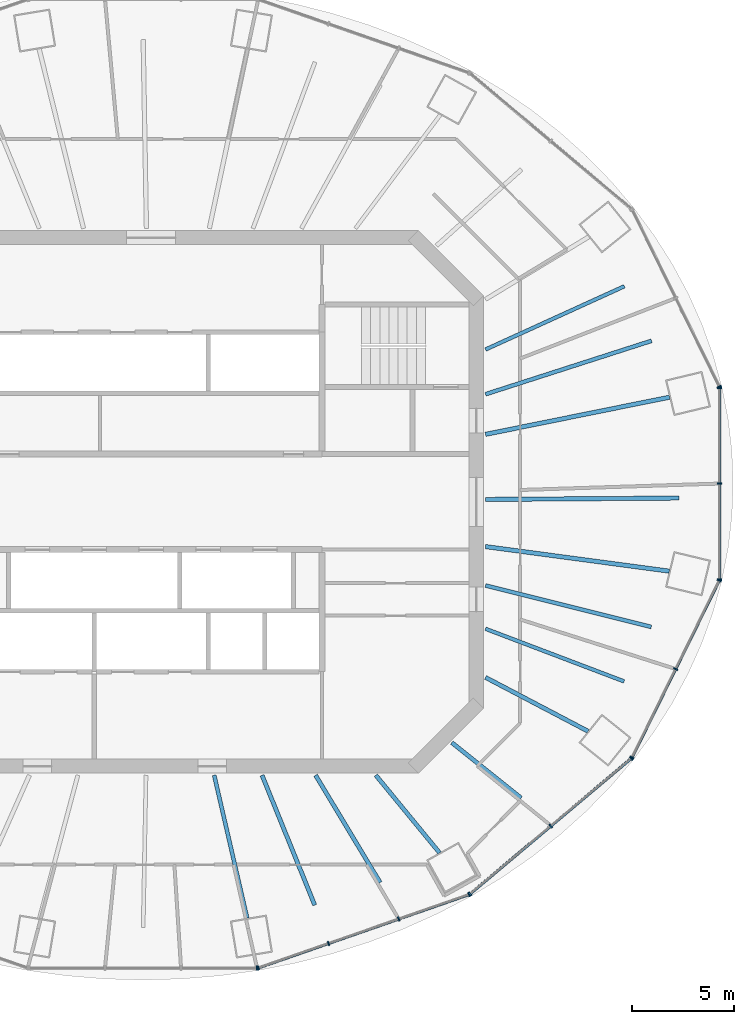
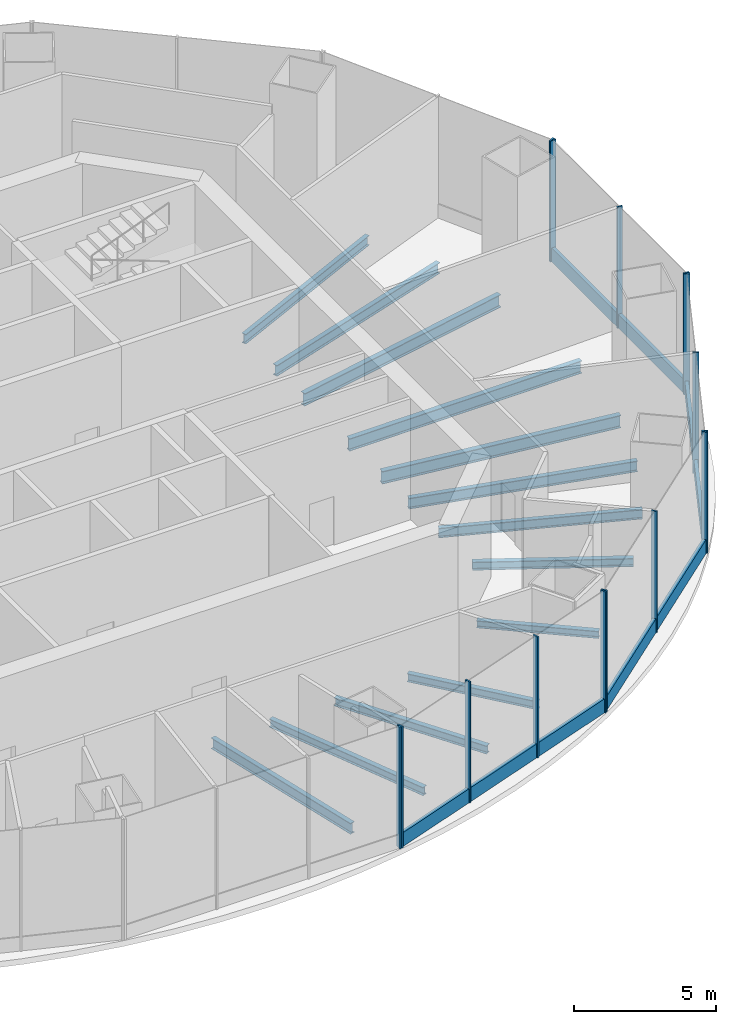
# One storey, part 4 of 12: 19 members, 13 beams, 6 elements without a shape of their own.
"""IFC4 building model written with IfcOpenShell, lengths in metres."""

from ifc_helpers import new_model, si_unit, direction, frame, origin, origin_2d, place, context, subcontext, project, spatial, rectangle, i_section, extrude, material, material_profile, profile_set, type_object, element, aggregate, save


model = new_model("IFC4")

# Units and contexts
model_context = context("Model", 3, precision=1e-05, world=origin(), true_north=direction((0.0, 1.0)))
body_context = subcontext(model_context, "Body", "Model", "MODEL_VIEW")
ifc_project = project(units=[si_unit("LENGTHUNIT", "METRE"), si_unit("AREAUNIT", "SQUARE_METRE"), si_unit("VOLUMEUNIT", "CUBIC_METRE"), si_unit("PLANEANGLEUNIT", "RADIAN"), si_unit("MASSUNIT", "GRAM", prefix="KILO")], contexts=[model_context])

# Site, building, storey
site_placement = place(None, origin())
site = spatial("IfcSite", under=ifc_project, at=site_placement, CompositionType="ELEMENT")
building_placement = place(site_placement, origin())
building = spatial("IfcBuilding", under=site, at=building_placement, Name="Marenthal Gate Tower", CompositionType="ELEMENT")
storey_placement = place(building_placement, frame((0.0, 0.0, 279.10009765625)))
storey = spatial("IfcBuildingStorey", under=building, at=storey_placement, Name="L62", CompositionType="ELEMENT", Elevation=279.10009765625)

# Curtain wall, member
ifc_material_1 = material(Name="Aluminium and glass", Category="aluminium")
curtain_wall_type = type_object("IfcCurtainWallType", Name="Curtain wall sky lobby", PredefinedType="NOTDEFINED", material=ifc_material_1)
curtain_wall_1_placement = place(storey_placement, origin())
curtain_wall_1 = element("IfcCurtainWall", 1, at=curtain_wall_1_placement, inside=storey, type_object=curtain_wall_type, Name="Curtain wall L62 bay 1", PredefinedType="NOTDEFINED")
ifc_material_2 = material(Name="Aluminium", Category="aluminium")
ifc_material_profile_1 = material_profile(ifc_material_2, rectangle(XDim=0.219970703125, YDim=0.070068359375, at=origin_2d()), Name="70x220 aluminium mullion")
ifc_profile_set_1 = profile_set([ifc_material_profile_1], Name="Aluminium")
member_type_1 = type_object("IfcMemberType", Name="Mullion 70x220 sky lobby", PredefinedType="MULLION", material=ifc_profile_set_1)
member_1_placement = place(storey_placement, frame((27.948974609375, 5.668212890625, 0.0), z_axis=(0.0, 0.0, 1.0), x_axis=(-0.89697015821, -0.442091093871, 0.0)))
member_1 = element("IfcMember", 2, at=member_1_placement, type_object=member_type_1, Name="Mullion L62 bay 1.1", PredefinedType="MULLION", context=body_context, shape_type="SweptSolid", body=[
    extrude(rectangle(XDim=0.219970703125, YDim=0.070068359375, at=origin_2d()), origin(), (0.0, 0.0, 1.0), 5.219970703125),
])
aggregate(curtain_wall_1, [member_1])

curtain_wall_2_placement = place(storey_placement, origin())
curtain_wall_2 = element("IfcCurtainWall", 3, at=curtain_wall_2_placement, inside=storey, type_object=curtain_wall_type, Name="Curtain wall L62 bay 12", PredefinedType="NOTDEFINED")
member_2_placement = place(storey_placement, frame((5.211669921875, -22.93603515625, 0.0), z_axis=(0.0, 0.0, 1.0), x_axis=(0.0, 1.0, 0.0)))
member_2 = element("IfcMember", 4, at=member_2_placement, type_object=member_type_1, Name="Mullion L62 bay 12.4", PredefinedType="MULLION", context=body_context, shape_type="SweptSolid", body=[
    extrude(rectangle(XDim=0.219970703125, YDim=0.070068359375, at=origin_2d()), origin(), (0.0, 0.0, 1.0), 5.219970703125),
])
aggregate(curtain_wall_2, [member_2])

# Curtain wall, members
curtain_wall_3_placement = place(storey_placement, origin())
curtain_wall_3 = element("IfcCurtainWall", 5, at=curtain_wall_3_placement, inside=storey, type_object=curtain_wall_type, Name="Curtain wall L62 bay 13", PredefinedType="NOTDEFINED")
member_3_placement = place(storey_placement, frame((5.27001953125, -22.926025390625, 0.0), z_axis=(0.0, 0.0, 1.0), x_axis=(-0.328756746245, 0.944414634469, 0.0)))
member_3 = element("IfcMember", 6, at=member_3_placement, type_object=member_type_1, Name="Mullion L62 bay 13.1", PredefinedType="MULLION", context=body_context, shape_type="SweptSolid", body=[
    extrude(rectangle(XDim=0.219970703125, YDim=0.070068359375, at=origin_2d()), origin(), (0.0, 0.0, 1.0), 5.219970703125),
])
member_4_placement = place(storey_placement, frame((8.725830078125, -21.72314453125, 0.0), z_axis=(0.0, 0.0, 1.0), x_axis=(-0.328756746245, 0.944414634469, 0.0)))
member_4 = element("IfcMember", 7, at=member_4_placement, type_object=member_type_1, Name="Mullion L62 bay 13.2", PredefinedType="MULLION", context=body_context, shape_type="SweptSolid", body=[
    extrude(rectangle(XDim=0.219970703125, YDim=0.070068359375, at=origin_2d()), origin(), (0.0, 0.0, 1.0), 5.219970703125),
])
member_5_placement = place(storey_placement, frame((12.181640625, -20.52001953125, 0.0), z_axis=(0.0, 0.0, 1.0), x_axis=(-0.328756746245, 0.944414634469, 0.0)))
member_5 = element("IfcMember", 8, at=member_5_placement, type_object=member_type_1, Name="Mullion L62 bay 13.3", PredefinedType="MULLION", context=body_context, shape_type="SweptSolid", body=[
    extrude(rectangle(XDim=0.219970703125, YDim=0.070068359375, at=origin_2d()), origin(), (0.0, 0.0, 1.0), 5.219970703125),
])
member_6_placement = place(storey_placement, frame((15.6376953125, -19.317138671875, 0.0), z_axis=(0.0, 0.0, 1.0), x_axis=(-0.328756746245, 0.944414634469, 0.0)))
member_6 = element("IfcMember", 9, at=member_6_placement, type_object=member_type_1, Name="Mullion L62 bay 13.4", PredefinedType="MULLION", context=body_context, shape_type="SweptSolid", body=[
    extrude(rectangle(XDim=0.219970703125, YDim=0.070068359375, at=origin_2d()), origin(), (0.0, 0.0, 1.0), 5.219970703125),
])

curtain_wall_4_placement = place(storey_placement, origin())
curtain_wall_4 = element("IfcCurtainWall", 10, at=curtain_wall_4_placement, inside=storey, type_object=curtain_wall_type, Name="Curtain wall L62 bay 14", PredefinedType="NOTDEFINED")
member_7_placement = place(storey_placement, frame((15.68896484375, -19.287841796875, 0.0), z_axis=(0.0, 0.0, 1.0), x_axis=(-0.643380191367, 0.76554681722, 0.0)))
member_7 = element("IfcMember", 11, at=member_7_placement, type_object=member_type_1, Name="Mullion L62 bay 14.1", PredefinedType="MULLION", context=body_context, shape_type="SweptSolid", body=[
    extrude(rectangle(XDim=0.219970703125, YDim=0.070068359375, at=origin_2d()), origin(), (0.0, 0.0, 1.0), 5.219970703125),
])
member_8_placement = place(storey_placement, frame((19.6552734375, -15.95458984375, 0.0), z_axis=(0.0, 0.0, 1.0), x_axis=(-0.643380191367, 0.76554681722, 0.0)))
member_8 = element("IfcMember", 12, at=member_8_placement, type_object=member_type_1, Name="Mullion L62 bay 14.2", PredefinedType="MULLION", context=body_context, shape_type="SweptSolid", body=[
    extrude(rectangle(XDim=0.219970703125, YDim=0.070068359375, at=origin_2d()), origin(), (0.0, 0.0, 1.0), 5.219970703125),
])
member_9_placement = place(storey_placement, frame((23.621337890625, -12.621337890625, 0.0), z_axis=(0.0, 0.0, 1.0), x_axis=(-0.643380191367, 0.76554681722, 0.0)))
member_9 = element("IfcMember", 13, at=member_9_placement, type_object=member_type_1, Name="Mullion L62 bay 14.3", PredefinedType="MULLION", context=body_context, shape_type="SweptSolid", body=[
    extrude(rectangle(XDim=0.219970703125, YDim=0.070068359375, at=origin_2d()), origin(), (0.0, 0.0, 1.0), 5.219970703125),
])

curtain_wall_5_placement = place(storey_placement, origin())
curtain_wall_5 = element("IfcCurtainWall", 14, at=curtain_wall_5_placement, inside=storey, type_object=curtain_wall_type, Name="Curtain wall L62 bay 15", PredefinedType="NOTDEFINED")
member_10_placement = place(storey_placement, frame((23.65771484375, -12.5751953125, 0.0), z_axis=(0.0, 0.0, 1.0), x_axis=(-0.89697015821, 0.442091093871, 0.0)))
member_10 = element("IfcMember", 15, at=member_10_placement, type_object=member_type_1, Name="Mullion L62 bay 15.1", PredefinedType="MULLION", context=body_context, shape_type="SweptSolid", body=[
    extrude(rectangle(XDim=0.219970703125, YDim=0.070068359375, at=origin_2d()), origin(), (0.0, 0.0, 1.0), 5.219970703125),
])
member_11_placement = place(storey_placement, frame((25.803466796875, -8.2216796875, 0.0), z_axis=(0.0, 0.0, 1.0), x_axis=(-0.89697015821, 0.442091093871, 0.0)))
member_11 = element("IfcMember", 16, at=member_11_placement, type_object=member_type_1, Name="Mullion L62 bay 15.2", PredefinedType="MULLION", context=body_context, shape_type="SweptSolid", body=[
    extrude(rectangle(XDim=0.219970703125, YDim=0.070068359375, at=origin_2d()), origin(), (0.0, 0.0, 1.0), 5.219970703125),
])
member_12_placement = place(storey_placement, frame((27.948974609375, -3.8681640625, 0.0), z_axis=(0.0, 0.0, 1.0), x_axis=(-0.89697015821, 0.442091093871, 0.0)))
member_12 = element("IfcMember", 17, at=member_12_placement, type_object=member_type_1, Name="Mullion L62 bay 15.3", PredefinedType="MULLION", context=body_context, shape_type="SweptSolid", body=[
    extrude(rectangle(XDim=0.219970703125, YDim=0.070068359375, at=origin_2d()), origin(), (0.0, 0.0, 1.0), 5.219970703125),
])

curtain_wall_6_placement = place(storey_placement, origin())
curtain_wall_6 = element("IfcCurtainWall", 18, at=curtain_wall_6_placement, inside=storey, type_object=curtain_wall_type, Name="Curtain wall L62 bay 16", PredefinedType="NOTDEFINED")
member_13_placement = place(storey_placement, frame((27.96240234375, -3.811279296875, 0.0), z_axis=(0.0, 0.0, 1.0), x_axis=(-1.0, 0.0, 0.0)))
member_13 = element("IfcMember", 19, at=member_13_placement, type_object=member_type_1, Name="Mullion L62 bay 16.1", PredefinedType="MULLION", context=body_context, shape_type="SweptSolid", body=[
    extrude(rectangle(XDim=0.219970703125, YDim=0.070068359375, at=origin_2d()), origin(), (0.0, 0.0, 1.0), 5.219970703125),
])
member_14_placement = place(storey_placement, frame((27.96240234375, 0.89990234375, 0.0), z_axis=(0.0, 0.0, 1.0), x_axis=(-1.0, 0.0, 0.0)))
member_14 = element("IfcMember", 20, at=member_14_placement, type_object=member_type_1, Name="Mullion L62 bay 16.2", PredefinedType="MULLION", context=body_context, shape_type="SweptSolid", body=[
    extrude(rectangle(XDim=0.219970703125, YDim=0.070068359375, at=origin_2d()), origin(), (0.0, 0.0, 1.0), 5.219970703125),
])
member_15_placement = place(storey_placement, frame((27.96240234375, 5.611328125, 0.0), z_axis=(0.0, 0.0, 1.0), x_axis=(-1.0, 0.0, 0.0)))
member_15 = element("IfcMember", 21, at=member_15_placement, type_object=member_type_1, Name="Mullion L62 bay 16.3", PredefinedType="MULLION", context=body_context, shape_type="SweptSolid", body=[
    extrude(rectangle(XDim=0.219970703125, YDim=0.070068359375, at=origin_2d()), origin(), (0.0, 0.0, 1.0), 5.219970703125),
])

# Member
ifc_material_3 = material(Name="Aluminium", Category="aluminium")
ifc_material_profile_2 = material_profile(ifc_material_3, rectangle(XDim=0.139892578125, YDim=0.60009765625, at=origin_2d()), Name="140x600 aluminium transom")
ifc_profile_set_2 = profile_set([ifc_material_profile_2], Name="Aluminium")
member_type_2 = type_object("IfcMemberType", Name="Transom 140x600 sky lobby", PredefinedType="USERDEFINED", material=ifc_profile_set_2)
member_16_placement = place(storey_placement, frame((5.302978515625, -22.91455078125, 0.2998046875), z_axis=(0.944417053534, 0.32874979695, 0.0), x_axis=(-0.32874979695, 0.944417053534, 0.0)))
member_16 = element("IfcMember", 22, at=member_16_placement, type_object=member_type_2, Name="Transom L62 bay 13", ObjectType="TRANSOM", PredefinedType="USERDEFINED", context=body_context, shape_type="SweptSolid", body=[
    extrude(rectangle(XDim=0.139892578125, YDim=0.60009765625, at=origin_2d()), origin(), (0.0, 0.0, 1.0), 10.90771484375),
])

aggregate(curtain_wall_3, [member_3, member_4, member_5, member_6, member_16])

member_17_placement = place(storey_placement, frame((15.7158203125, -19.265380859375, 0.2998046875), z_axis=(0.765546889855, 0.643380104941, 0.0), x_axis=(-0.643380104941, 0.765546889855, 0.0)))
member_17 = element("IfcMember", 23, at=member_17_placement, type_object=member_type_2, Name="Transom L62 bay 14", ObjectType="TRANSOM", PredefinedType="USERDEFINED", context=body_context, shape_type="SweptSolid", body=[
    extrude(rectangle(XDim=0.139892578125, YDim=0.60009765625, at=origin_2d()), origin(), (0.0, 0.0, 1.0), 10.291748046875),
])

aggregate(curtain_wall_4, [member_7, member_8, member_9, member_17])

member_18_placement = place(storey_placement, frame((23.673095703125, -12.543701171875, 0.2998046875), z_axis=(0.442099023513, 0.896966249872, 0.0), x_axis=(-0.896966249872, 0.442099023513, 0.0)))
member_18 = element("IfcMember", 24, at=member_18_placement, type_object=member_type_2, Name="Transom L62 bay 15", ObjectType="TRANSOM", PredefinedType="USERDEFINED", context=body_context, shape_type="SweptSolid", body=[
    extrude(rectangle(XDim=0.139892578125, YDim=0.60009765625, at=origin_2d()), origin(), (0.0, 0.0, 1.0), 9.636962890625),
])

aggregate(curtain_wall_5, [member_10, member_11, member_12, member_18])

member_19_placement = place(storey_placement, frame((27.96240234375, -3.7763671875, 0.2998046875), z_axis=(0.0, 1.0, 0.0), x_axis=(-1.0, 0.0, 0.0)))
member_19 = element("IfcMember", 25, at=member_19_placement, type_object=member_type_2, Name="Transom L62 bay 16", ObjectType="TRANSOM", PredefinedType="USERDEFINED", context=body_context, shape_type="SweptSolid", body=[
    extrude(rectangle(XDim=0.139892578125, YDim=0.60009765625, at=origin_2d()), origin(), (0.0, 0.0, 1.0), 9.352783203125),
])

aggregate(curtain_wall_6, [member_13, member_14, member_15, member_19])

# Beams
ifc_material_4 = material(Name="Steel S355", Category="steel")
ifc_material_profile_3 = material_profile(ifc_material_4, i_section(OverallWidth=0.205078125, OverallDepth=0.31005859375, WebThickness=0.009521484375, FlangeThickness=0.016357421875, FilletRadius=0.0126953125, at=origin_2d()), Name="W310X74")
ifc_profile_set_3 = profile_set([ifc_material_profile_3], Name="Steel S355")
beam_type_1 = type_object("IfcBeamType", Name="W310X74 beam", PredefinedType="BEAM", material=ifc_profile_set_3)
beam_1_placement = place(storey_placement, frame((18.200927734375, -14.57177734375, -0.405029296875), z_axis=(-0.780655976637, 0.624960995696, 0.0), x_axis=(-0.624960995696, -0.780655976637, 0.0)))
element("IfcBeam", 26, at=beam_1_placement, inside=storey, type_object=beam_type_1, Name="BM-L62-37", PredefinedType="BEAM", context=body_context, shape_type="SweptSolid", body=[
    extrude(i_section(OverallWidth=0.205078125, OverallDepth=0.31005859375, WebThickness=0.009521484375, FlangeThickness=0.016357421875, FilletRadius=0.0126953125, at=origin_2d()), origin(), (0.0, 0.0, 1.0), 4.365478515625),
])
ifc_material_5 = material(Name="Steel S355", Category="steel")
ifc_material_profile_4 = material_profile(ifc_material_5, i_section(OverallWidth=0.205078125, OverallDepth=0.35302734375, WebThickness=0.009521484375, FlangeThickness=0.016845703125, FilletRadius=0.014892578125, at=origin_2d()), Name="W360X79")
ifc_profile_set_4 = profile_set([ifc_material_profile_4], Name="Steel S355")
beam_type_2 = type_object("IfcBeamType", Name="W360X79 beam", PredefinedType="BEAM", material=ifc_profile_set_4)
beam_2_placement = place(storey_placement, frame((14.191162109375, -17.26708984375, -0.426513671875), z_axis=(-0.634915384057, 0.772581681822, 0.0), x_axis=(-0.772581681822, -0.634915384057, 0.0)))
element("IfcBeam", 27, at=beam_2_placement, inside=storey, type_object=beam_type_2, Name="BM-L62-14", PredefinedType="BEAM", context=body_context, shape_type="SweptSolid", body=[
    extrude(i_section(OverallWidth=0.205078125, OverallDepth=0.35302734375, WebThickness=0.009521484375, FlangeThickness=0.016845703125, FilletRadius=0.014892578125, at=origin_2d()), origin(), (0.0, 0.0, 1.0), 4.940673828125),
])
beam_3_placement = place(storey_placement, frame((21.49609375, -11.285888671875, -0.426513671875), z_axis=(-0.885401869601, 0.464826343173, 0.0), x_axis=(-0.464826343173, -0.885401869601, 0.0)))
element("IfcBeam", 28, at=beam_3_placement, inside=storey, type_object=beam_type_2, Name="BM-L62-15", PredefinedType="BEAM", context=body_context, shape_type="SweptSolid", body=[
    extrude(i_section(OverallWidth=0.205078125, OverallDepth=0.35302734375, WebThickness=0.009521484375, FlangeThickness=0.016845703125, FilletRadius=0.014892578125, at=origin_2d()), origin(), (0.0, 0.0, 1.0), 5.69921875),
])
beam_4_placement = place(storey_placement, frame((8.048828125, -19.837890625, -0.426513671875), z_axis=(-0.375965685219, 0.92663358645, 0.0), x_axis=(-0.92663358645, -0.375965685219, 0.0)))
element("IfcBeam", 29, at=beam_4_placement, inside=storey, type_object=beam_type_2, Name="BM-L62-35", PredefinedType="BEAM", context=body_context, shape_type="SweptSolid", body=[
    extrude(i_section(OverallWidth=0.205078125, OverallDepth=0.35302734375, WebThickness=0.009521484375, FlangeThickness=0.016845703125, FilletRadius=0.014892578125, at=origin_2d()), origin(), (0.0, 0.0, 1.0), 6.893798828125),
])
beam_5_placement = place(storey_placement, frame((11.26611328125, -18.730224609375, -0.426513671875), z_axis=(-0.515433540179, 0.856929556999, 0.0), x_axis=(-0.856929556999, -0.515433540179, 0.0)))
element("IfcBeam", 30, at=beam_5_placement, inside=storey, type_object=beam_type_2, Name="BM-L62-36", PredefinedType="BEAM", context=body_context, shape_type="SweptSolid", body=[
    extrude(i_section(OverallWidth=0.205078125, OverallDepth=0.35302734375, WebThickness=0.009521484375, FlangeThickness=0.016845703125, FilletRadius=0.014892578125, at=origin_2d()), origin(), (0.0, 0.0, 1.0), 6.161865234375),
])
ifc_material_6 = material(Name="Steel S355", Category="steel")
ifc_material_profile_5 = material_profile(ifc_material_6, i_section(OverallWidth=0.180908203125, OverallDepth=0.4169921875, WebThickness=0.010986328125, FlangeThickness=0.018310546875, FilletRadius=0.01025390625, at=origin_2d()), Name="W410X85")
ifc_profile_set_5 = profile_set([ifc_material_profile_5], Name="Steel S355")
beam_type_3 = type_object("IfcBeamType", Name="W410X85 beam", PredefinedType="BEAM", material=ifc_profile_set_5)
beam_6_placement = place(storey_placement, frame((23.281494140625, 10.607177734375, -0.45849609375), z_axis=(-0.909999703618, -0.414608899343, 0.0), x_axis=(0.414608899343, -0.909999703618, 0.0)))
element("IfcBeam", 31, at=beam_6_placement, inside=storey, type_object=beam_type_3, Name="BM-L62-18", PredefinedType="BEAM", context=body_context, shape_type="SweptSolid", body=[
    extrude(i_section(OverallWidth=0.180908203125, OverallDepth=0.4169921875, WebThickness=0.010986328125, FlangeThickness=0.018310546875, FilletRadius=0.01025390625, at=origin_2d()), origin(), (0.0, 0.0, 1.0), 7.507080078125),
])
beam_7_placement = place(storey_placement, frame((23.2685546875, -8.833251953125, -0.45849609375), z_axis=(-0.934906014807, 0.354895397937, 0.0), x_axis=(-0.354895397937, -0.934906014807, 0.0)))
element("IfcBeam", 32, at=beam_7_placement, inside=storey, type_object=beam_type_3, Name="BM-L62-38", PredefinedType="BEAM", context=body_context, shape_type="SweptSolid", body=[
    extrude(i_section(OverallWidth=0.180908203125, OverallDepth=0.4169921875, WebThickness=0.010986328125, FlangeThickness=0.018310546875, FilletRadius=0.01025390625, at=origin_2d()), origin(), (0.0, 0.0, 1.0), 7.29345703125),
])
ifc_material_7 = material(Name="Steel S355", Category="steel")
ifc_material_profile_6 = material_profile(ifc_material_7, i_section(OverallWidth=0.193115234375, OverallDepth=0.467041015625, WebThickness=0.011474609375, FlangeThickness=0.01904296875, FilletRadius=0.010009765625, at=origin_2d()), Name="W460X97")
ifc_profile_set_6 = profile_set([ifc_material_profile_6], Name="Steel S355")
beam_type_4 = type_object("IfcBeamType", Name="W460X97 beam", PredefinedType="BEAM", material=ifc_profile_set_6)
beam_8_placement = place(storey_placement, frame((4.72509765625, -20.4833984375, -0.483642578125), z_axis=(-0.22478786967, 0.974407724543, 0.0), x_axis=(-0.974407724543, -0.22478786967, 0.0)))
element("IfcBeam", 33, at=beam_8_placement, inside=storey, type_object=beam_type_4, Name="BM-L62-13", PredefinedType="BEAM", context=body_context, shape_type="SweptSolid", body=[
    extrude(i_section(OverallWidth=0.193115234375, OverallDepth=0.467041015625, WebThickness=0.011474609375, FlangeThickness=0.01904296875, FilletRadius=0.010009765625, at=origin_2d()), origin(), (0.0, 0.0, 1.0), 7.21826171875),
])
beam_9_placement = place(storey_placement, frame((24.618896484375, 7.923828125, -0.483642578125), z_axis=(-0.951912459304, -0.306370151651, 0.0), x_axis=(0.306370151651, -0.951912459304, 0.0)))
element("IfcBeam", 34, at=beam_9_placement, inside=storey, type_object=beam_type_4, Name="BM-L62-17", PredefinedType="BEAM", context=body_context, shape_type="SweptSolid", body=[
    extrude(i_section(OverallWidth=0.193115234375, OverallDepth=0.467041015625, WebThickness=0.011474609375, FlangeThickness=0.01904296875, FilletRadius=0.010009765625, at=origin_2d()), origin(), (0.0, 0.0, 1.0), 8.58154296875),
])
beam_10_placement = place(storey_placement, frame((24.60498046875, -6.151611328125, -0.483642578125), z_axis=(-0.970140791679, 0.2425424588, 0.0), x_axis=(-0.2425424588, -0.970140791679, 0.0)))
element("IfcBeam", 35, at=beam_10_placement, inside=storey, type_object=beam_type_4, Name="BM-L62-39", PredefinedType="BEAM", context=body_context, shape_type="SweptSolid", body=[
    extrude(i_section(OverallWidth=0.193115234375, OverallDepth=0.467041015625, WebThickness=0.011474609375, FlangeThickness=0.01904296875, FilletRadius=0.010009765625, at=origin_2d()), origin(), (0.0, 0.0, 1.0), 8.406005859375),
])
ifc_material_8 = material(Name="Steel S355", Category="steel")
ifc_material_profile_7 = material_profile(ifc_material_8, i_section(OverallWidth=0.2099609375, OverallDepth=0.535888671875, WebThickness=0.010986328125, FlangeThickness=0.017333984375, FilletRadius=0.0126953125, at=origin_2d()), Name="W530X101")
ifc_profile_set_7 = profile_set([ifc_material_profile_7], Name="Steel S355")
beam_type_5 = type_object("IfcBeamType", Name="W530X101 beam", PredefinedType="BEAM", material=ifc_profile_set_7)
beam_11_placement = place(storey_placement, frame((25.962646484375, 0.1875, -0.51806640625), z_axis=(-0.999973996091, -0.007211597703, 0.0), x_axis=(0.007211597703, -0.999973996091, 0.0)))
element("IfcBeam", 36, at=beam_11_placement, inside=storey, type_object=beam_type_5, Name="BM-L62-40", PredefinedType="BEAM", context=body_context, shape_type="SweptSolid", body=[
    extrude(i_section(OverallWidth=0.2099609375, OverallDepth=0.535888671875, WebThickness=0.010986328125, FlangeThickness=0.017333984375, FilletRadius=0.0126953125, at=origin_2d()), origin(), (0.0, 0.0, 1.0), 9.512939453125),
])
ifc_material_9 = material(Name="Steel S355", Category="steel")
ifc_material_profile_8 = material_profile(ifc_material_9, i_section(OverallWidth=0.2119140625, OverallDepth=0.5439453125, WebThickness=0.01318359375, FlangeThickness=0.021240234375, FilletRadius=0.0126953125, at=origin_2d()), Name="W530X123")
ifc_profile_set_8 = profile_set([ifc_material_profile_8], Name="Steel S355")
beam_type_6 = type_object("IfcBeamType", Name="W530X123 beam", PredefinedType="BEAM", material=ifc_profile_set_8)
beam_12_placement = place(storey_placement, frame((25.50537109375, 5.14990234375, -0.522216796875), z_axis=(-0.980214078641, -0.197940294115, 0.0), x_axis=(0.197940294115, -0.980214078641, 0.0)))
element("IfcBeam", 37, at=beam_12_placement, inside=storey, type_object=beam_type_6, Name="BM-L62-01", PredefinedType="BEAM", context=body_context, shape_type="SweptSolid", body=[
    extrude(i_section(OverallWidth=0.2119140625, OverallDepth=0.5439453125, WebThickness=0.01318359375, FlangeThickness=0.021240234375, FilletRadius=0.0126953125, at=origin_2d()), origin(), (0.0, 0.0, 1.0), 9.23828125),
])
beam_13_placement = place(storey_placement, frame((25.4912109375, -3.40966796875, -0.522216796875), z_axis=(-0.991174290134, 0.132565178598, 0.0), x_axis=(-0.132565178598, -0.991174290134, 0.0)))
element("IfcBeam", 38, at=beam_13_placement, inside=storey, type_object=beam_type_6, Name="BM-L62-16", PredefinedType="BEAM", context=body_context, shape_type="SweptSolid", body=[
    extrude(i_section(OverallWidth=0.2119140625, OverallDepth=0.5439453125, WebThickness=0.01318359375, FlangeThickness=0.021240234375, FilletRadius=0.0126953125, at=origin_2d()), origin(), (0.0, 0.0, 1.0), 9.121826171875),
])

save(model, "model.ifc")
